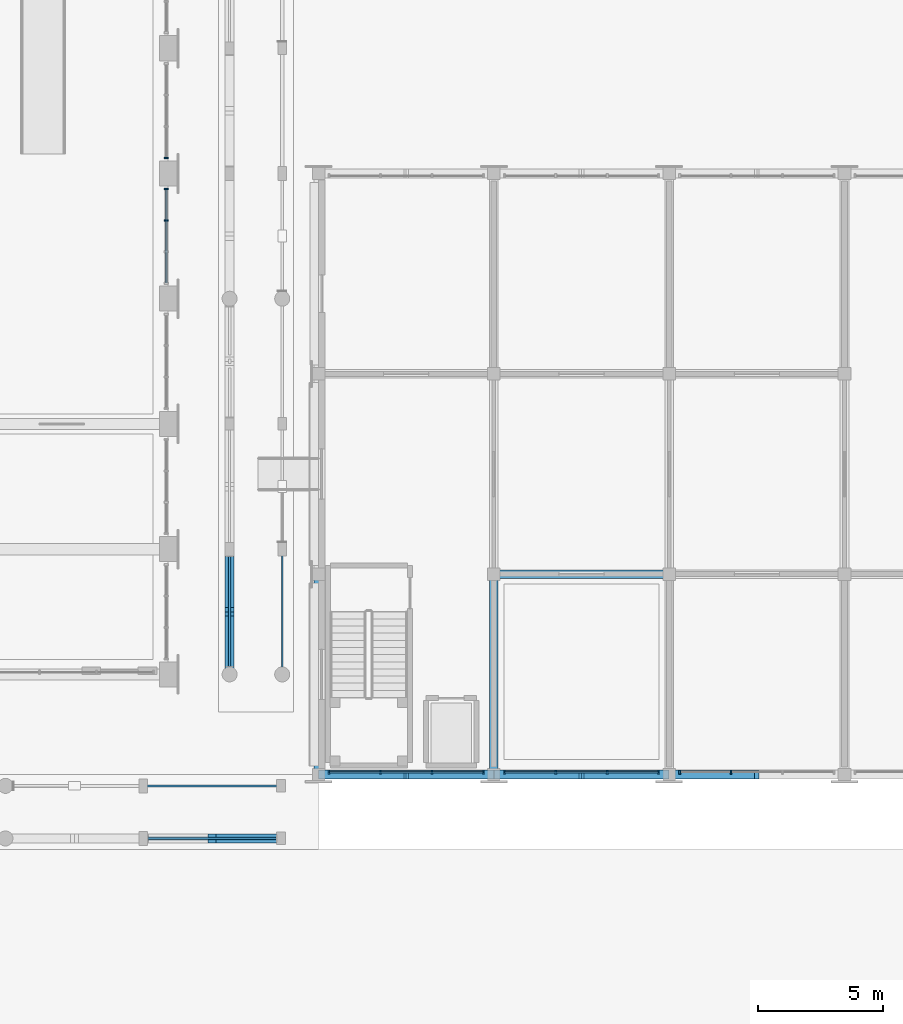
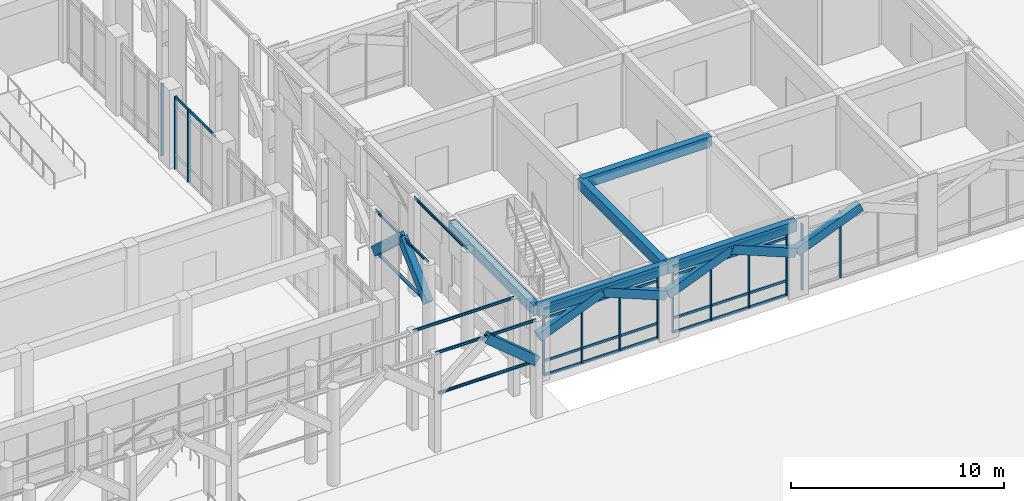
# One storey, part 29 of 135: 24 members, 17 beams, 5 elements without a shape of their own.
"""IFC4 building model written with IfcOpenShell, lengths in metres."""

from ifc_helpers import new_model, si_unit, direction, frame, origin, origin_2d, place, context, subcontext, project, spatial, rectangle, hollow_circle, i_section, extrude, material, material_profile, profile_set, type_object, element, aggregate, save


model = new_model("IFC4")

# Units and contexts
model_context = context("Model", 3, precision=1e-05, world=origin(), true_north=direction((0.0, 1.0)))
body_context = subcontext(model_context, "Body", "Model", "MODEL_VIEW")
ifc_project = project(units=[si_unit("LENGTHUNIT", "METRE"), si_unit("AREAUNIT", "SQUARE_METRE"), si_unit("VOLUMEUNIT", "CUBIC_METRE"), si_unit("PLANEANGLEUNIT", "RADIAN"), si_unit("MASSUNIT", "GRAM", prefix="KILO")], contexts=[model_context])

# Site, building, storey
site_placement = place(None, origin())
site = spatial("IfcSite", under=ifc_project, at=site_placement, CompositionType="ELEMENT")
building_placement = place(site_placement, origin())
building = spatial("IfcBuilding", under=site, at=building_placement, Name="Kiranvali Square Residences", CompositionType="ELEMENT")
storey_placement = place(building_placement, origin())
storey = spatial("IfcBuildingStorey", under=building, at=storey_placement, Name="L00", CompositionType="ELEMENT", Elevation=0.0)

# Beams
ifc_material_1 = material(Name="Concrete M40 (40 MPa)", Category="concrete")
ifc_material_profile_1 = material_profile(ifc_material_1, rectangle(XDim=0.35009765625, YDim=0.5, at=origin_2d()), Name="RC 350x500")
ifc_profile_set_1 = profile_set([ifc_material_profile_1], Name="Concrete M40 (40 MPa)")
beam_type_1 = type_object("IfcBeamType", Name="AR-M40-350x500", PredefinedType="USERDEFINED", material=ifc_profile_set_1)
for number, where, z_axis, x_axis, name in (
    (1, (102.0400390625, 40.0, 2.449951171875), (0.926976058065, 0.0, 0.375120497672), (0.0, 1.0, 0.0), "Classical pointed Ottoman arch rib ARCH-RT-S0-0.1"),
    (2, (105.5, 40.0, 3.85009765625), (0.926976058065, 0.0, -0.375120497672), (0.0, 1.0, 0.0), "Classical pointed Ottoman arch rib ARCH-RT-S0-0.2"),
    (3, (109.0400390625, 40.0, 2.449951171875), (0.926976058065, 0.0, 0.375120497672), (0.0, 1.0, 0.0), "Classical pointed Ottoman arch rib ARCH-RT-S0-1.1"),
    (4, (112.5, 40.0, 3.85009765625), (0.926976058065, 0.0, -0.375120497672), (0.0, 1.0, 0.0), "Classical pointed Ottoman arch rib ARCH-RT-S0-1.2"),
    (5, (116.0400390625, 40.0, 2.449951171875), (0.926976058065, 0.0, 0.375120497672), (0.0, 1.0, 0.0), "Classical pointed Ottoman arch rib ARCH-RT-S0-2.1"),
):
    element("IfcBeam", number, at=place(storey_placement, frame(where, z_axis=z_axis, x_axis=x_axis)), inside=storey, type_object=beam_type_1, Name=name, ObjectType="ARCH RIB", PredefinedType="USERDEFINED", context=body_context, shape_type="SweptSolid", body=[
        extrude(rectangle(XDim=0.35009765625, YDim=0.5, at=origin_2d()), origin(), (0.0, 0.0, 1.0), 3.732421875),
    ])
beam_placement = place(storey_placement, frame((97.75, 37.449951171875, 5.4599609375), z_axis=(0.767983039395, 0.0, -0.640470179791), x_axis=(0.0, 1.0, 0.0)))
element("IfcBeam", 6, at=beam_placement, inside=storey, type_object=beam_type_1, Name="Classical pointed Ottoman arch rib ARCH-ARC-GDN-S-11.2", ObjectType="ARCH RIB", PredefinedType="USERDEFINED", context=body_context, shape_type="SweptSolid", body=[
    extrude(rectangle(XDim=0.35009765625, YDim=0.5, at=origin_2d()), origin(), (0.0, 0.0, 1.0), 3.528564453125),
])
for number, where, z_axis, x_axis, name in (
    (7, (98.449951171875, 44.0400390625, 3.199951171875), (0.0, 0.736401324674, 0.676544964521), (-1.0, 0.0, 0.0), "Classical pointed Ottoman arch rib ARCH-ARC-GDN-E-01.1"),
    (8, (98.449951171875, 46.5, 5.4599609375), (0.0, 0.736401324674, -0.676544964521), (-1.0, 0.0, 0.0), "Classical pointed Ottoman arch rib ARCH-ARC-GDN-E-01.2"),
):
    element("IfcBeam", number, at=place(storey_placement, frame(where, z_axis=z_axis, x_axis=x_axis)), inside=storey, type_object=beam_type_1, Name=name, ObjectType="ARCH RIB", PredefinedType="USERDEFINED", context=body_context, shape_type="SweptSolid", body=[
        extrude(rectangle(XDim=0.35009765625, YDim=0.5, at=origin_2d()), origin(), (0.0, 0.0, 1.0), 3.340576171875),
    ])
ifc_material_profile_2 = material_profile(ifc_material_1, rectangle(XDim=0.35009765625, YDim=0.60009765625, at=origin_2d()), Name="RC 350x600")
ifc_profile_set_2 = profile_set([ifc_material_profile_2], Name="Concrete M40 (40 MPa)")
beam_type_2 = type_object("IfcBeamType", Name="BM-M40-350x600", PredefinedType="BEAM", material=ifc_profile_set_2)
for number, where, z_axis, x_axis, name in (
    (9, (102.0, 40.0, 3.97998046875), (1.0, 0.0, 0.0), (0.0, 1.0, 0.0), "L00 beam BM-RT-L00-X0-0"),
    (10, (109.0, 40.0, 3.97998046875), (1.0, 0.0, 0.0), (0.0, 1.0, 0.0), "L00 beam BM-RT-L00-X1-0"),
    (11, (109.0, 48.0, 3.97998046875), (1.0, 0.0, 0.0), (0.0, 1.0, 0.0), "L00 beam BM-RT-L00-X1-1"),
):
    element("IfcBeam", number, at=place(storey_placement, frame(where, z_axis=z_axis, x_axis=x_axis)), inside=storey, type_object=beam_type_2, Name=name, PredefinedType="BEAM", context=body_context, shape_type="SweptSolid", body=[
        extrude(rectangle(XDim=0.35009765625, YDim=0.60009765625, at=origin_2d()), origin(), (0.0, 0.0, 1.0), 7.0),
    ])
for number, where, z_axis, x_axis, name in (
    (12, (102.0, 40.0, 3.97998046875), (0.0, 1.0, 0.0), (-1.0, 0.0, 0.0), "L00 beam BM-RT-L00-Y0-0"),
    (13, (109.0, 40.0, 3.97998046875), (0.0, 1.0, 0.0), (-1.0, 0.0, 0.0), "L00 beam BM-RT-L00-Y1-0"),
):
    element("IfcBeam", number, at=place(storey_placement, frame(where, z_axis=z_axis, x_axis=x_axis)), inside=storey, type_object=beam_type_2, Name=name, PredefinedType="BEAM", context=body_context, shape_type="SweptSolid", body=[
        extrude(rectangle(XDim=0.35009765625, YDim=0.60009765625, at=origin_2d()), origin(), (0.0, 0.0, 1.0), 8.0),
    ])

# Curtain wall, members
ifc_material_2 = material(Name="Anodised bronze aluminium framing", Category="aluminium")
curtain_wall_type_1 = type_object("IfcCurtainWallType", Name="CW-CH-GLZ", PredefinedType="USERDEFINED", material=ifc_material_2)
curtain_wall_1_placement = place(storey_placement, origin())
curtain_wall_1 = element("IfcCurtainWall", 14, at=curtain_wall_1_placement, inside=storey, type_object=curtain_wall_type_1, Name="Community Hall L00 E glazed arcade bay 4", ObjectType="CURTAIN WALL", PredefinedType="USERDEFINED")
ifc_material_profile_3 = material_profile(ifc_material_2, rectangle(XDim=0.06494140625, YDim=0.159912109375, at=origin_2d()), Name="ALU 65x160")
ifc_profile_set_3 = profile_set([ifc_material_profile_3], Name="Anodised bronze aluminium framing")
member_type_1 = type_object("IfcMemberType", Name="CW-MUL-160", PredefinedType="MULLION", material=ifc_profile_set_3)
member_1_placement = place(storey_placement, frame((95.919921875, 62.126708984375, 0.02001953125), z_axis=(0.0, 0.0, 1.0), x_axis=(0.0, 1.0, 0.0)))
member_1 = element("IfcMember", 15, at=member_1_placement, type_object=member_type_1, Name="CW-CH-L00-E4 vertical mullion 3", PredefinedType="MULLION", context=body_context, shape_type="SweptSolid", body=[
    extrude(rectangle(XDim=0.06494140625, YDim=0.159912109375, at=origin_2d()), origin(), (0.0, 0.0, 1.0), 4.139892578125),
])
member_2_placement = place(storey_placement, frame((95.919921875, 63.3798828125, 0.02001953125), z_axis=(0.0, 0.0, 1.0), x_axis=(0.0, 1.0, 0.0)))
member_2 = element("IfcMember", 16, at=member_2_placement, type_object=member_type_1, Name="CW-CH-L00-E4 vertical mullion 4", PredefinedType="MULLION", context=body_context, shape_type="SweptSolid", body=[
    extrude(rectangle(XDim=0.06494140625, YDim=0.159912109375, at=origin_2d()), origin(), (0.0, 0.0, 1.0), 4.139892578125),
])

# Curtain wall, member
curtain_wall_2_placement = place(storey_placement, origin())
curtain_wall_2 = element("IfcCurtainWall", 17, at=curtain_wall_2_placement, inside=storey, type_object=curtain_wall_type_1, Name="Community Hall L00 E glazed arcade bay 5", ObjectType="CURTAIN WALL", PredefinedType="USERDEFINED")
member_3_placement = place(storey_placement, frame((95.919921875, 64.6201171875, 0.02001953125), z_axis=(0.0, 0.0, 1.0), x_axis=(0.0, 1.0, 0.0)))
member_3 = element("IfcMember", 18, at=member_3_placement, type_object=member_type_1, Name="CW-CH-L00-E5 vertical mullion 1", PredefinedType="MULLION", context=body_context, shape_type="SweptSolid", body=[
    extrude(rectangle(XDim=0.06494140625, YDim=0.159912109375, at=origin_2d()), origin(), (0.0, 0.0, 1.0), 4.139892578125),
])
aggregate(curtain_wall_2, [member_3])

# Curtain wall, members
curtain_wall_type_2 = type_object("IfcCurtainWallType", Name="CW-PAV-GLZ", PredefinedType="USERDEFINED", material=ifc_material_2)
curtain_wall_3_placement = place(storey_placement, origin())
curtain_wall_3 = element("IfcCurtainWall", 19, at=curtain_wall_3_placement, inside=storey, type_object=curtain_wall_type_2, Name="Southeast Square Retail Pavilion south arcade curtain wall 1", ObjectType="CURTAIN WALL", PredefinedType="USERDEFINED")
member_4_placement = place(storey_placement, frame((102.419921875, 40.10009765625, 0.02001953125), z_axis=(0.0, 0.0, 1.0), x_axis=(1.0, 0.0, 0.0)))
member_4 = element("IfcMember", 20, at=member_4_placement, type_object=member_type_1, Name="CW-RT-S0-0 vertical mullion 1", PredefinedType="MULLION", context=body_context, shape_type="SweptSolid", body=[
    extrude(rectangle(XDim=0.06494140625, YDim=0.159912109375, at=origin_2d()), origin(), (0.0, 0.0, 1.0), 3.81005859375),
])
member_5_placement = place(storey_placement, frame((104.473388671875, 40.10009765625, 0.02001953125), z_axis=(0.0, 0.0, 1.0), x_axis=(1.0, 0.0, 0.0)))
member_5 = element("IfcMember", 21, at=member_5_placement, type_object=member_type_1, Name="CW-RT-S0-0 vertical mullion 2", PredefinedType="MULLION", context=body_context, shape_type="SweptSolid", body=[
    extrude(rectangle(XDim=0.06494140625, YDim=0.159912109375, at=origin_2d()), origin(), (0.0, 0.0, 1.0), 3.81005859375),
])
member_6_placement = place(storey_placement, frame((106.526611328125, 40.10009765625, 0.02001953125), z_axis=(0.0, 0.0, 1.0), x_axis=(1.0, 0.0, 0.0)))
member_6 = element("IfcMember", 22, at=member_6_placement, type_object=member_type_1, Name="CW-RT-S0-0 vertical mullion 3", PredefinedType="MULLION", context=body_context, shape_type="SweptSolid", body=[
    extrude(rectangle(XDim=0.06494140625, YDim=0.159912109375, at=origin_2d()), origin(), (0.0, 0.0, 1.0), 3.81005859375),
])
member_7_placement = place(storey_placement, frame((108.580078125, 40.10009765625, 0.02001953125), z_axis=(0.0, 0.0, 1.0), x_axis=(1.0, 0.0, 0.0)))
member_7 = element("IfcMember", 23, at=member_7_placement, type_object=member_type_1, Name="CW-RT-S0-0 vertical mullion 4", PredefinedType="MULLION", context=body_context, shape_type="SweptSolid", body=[
    extrude(rectangle(XDim=0.06494140625, YDim=0.159912109375, at=origin_2d()), origin(), (0.0, 0.0, 1.0), 3.81005859375),
])

curtain_wall_4_placement = place(storey_placement, origin())
curtain_wall_4 = element("IfcCurtainWall", 24, at=curtain_wall_4_placement, inside=storey, type_object=curtain_wall_type_2, Name="Southeast Square Retail Pavilion south arcade curtain wall 2", ObjectType="CURTAIN WALL", PredefinedType="USERDEFINED")
member_8_placement = place(storey_placement, frame((109.419921875, 40.10009765625, 0.02001953125), z_axis=(0.0, 0.0, 1.0), x_axis=(1.0, 0.0, 0.0)))
member_8 = element("IfcMember", 25, at=member_8_placement, type_object=member_type_1, Name="CW-RT-S0-1 vertical mullion 1", PredefinedType="MULLION", context=body_context, shape_type="SweptSolid", body=[
    extrude(rectangle(XDim=0.06494140625, YDim=0.159912109375, at=origin_2d()), origin(), (0.0, 0.0, 1.0), 3.81005859375),
])
member_9_placement = place(storey_placement, frame((111.473388671875, 40.10009765625, 0.02001953125), z_axis=(0.0, 0.0, 1.0), x_axis=(1.0, 0.0, 0.0)))
member_9 = element("IfcMember", 26, at=member_9_placement, type_object=member_type_1, Name="CW-RT-S0-1 vertical mullion 2", PredefinedType="MULLION", context=body_context, shape_type="SweptSolid", body=[
    extrude(rectangle(XDim=0.06494140625, YDim=0.159912109375, at=origin_2d()), origin(), (0.0, 0.0, 1.0), 3.81005859375),
])
member_10_placement = place(storey_placement, frame((113.526611328125, 40.10009765625, 0.02001953125), z_axis=(0.0, 0.0, 1.0), x_axis=(1.0, 0.0, 0.0)))
member_10 = element("IfcMember", 27, at=member_10_placement, type_object=member_type_1, Name="CW-RT-S0-1 vertical mullion 3", PredefinedType="MULLION", context=body_context, shape_type="SweptSolid", body=[
    extrude(rectangle(XDim=0.06494140625, YDim=0.159912109375, at=origin_2d()), origin(), (0.0, 0.0, 1.0), 3.81005859375),
])
member_11_placement = place(storey_placement, frame((115.580078125, 40.10009765625, 0.02001953125), z_axis=(0.0, 0.0, 1.0), x_axis=(1.0, 0.0, 0.0)))
member_11 = element("IfcMember", 28, at=member_11_placement, type_object=member_type_1, Name="CW-RT-S0-1 vertical mullion 4", PredefinedType="MULLION", context=body_context, shape_type="SweptSolid", body=[
    extrude(rectangle(XDim=0.06494140625, YDim=0.159912109375, at=origin_2d()), origin(), (0.0, 0.0, 1.0), 3.81005859375),
])

curtain_wall_5_placement = place(storey_placement, origin())
curtain_wall_5 = element("IfcCurtainWall", 29, at=curtain_wall_5_placement, inside=storey, type_object=curtain_wall_type_2, Name="Southeast Square Retail Pavilion south arcade curtain wall 3", ObjectType="CURTAIN WALL", PredefinedType="USERDEFINED")
member_12_placement = place(storey_placement, frame((116.419921875, 40.10009765625, 0.02001953125), z_axis=(0.0, 0.0, 1.0), x_axis=(1.0, 0.0, 0.0)))
member_12 = element("IfcMember", 30, at=member_12_placement, type_object=member_type_1, Name="CW-RT-S0-2 vertical mullion 1", PredefinedType="MULLION", context=body_context, shape_type="SweptSolid", body=[
    extrude(rectangle(XDim=0.06494140625, YDim=0.159912109375, at=origin_2d()), origin(), (0.0, 0.0, 1.0), 3.81005859375),
])
member_13_placement = place(storey_placement, frame((118.473388671875, 40.10009765625, 0.02001953125), z_axis=(0.0, 0.0, 1.0), x_axis=(1.0, 0.0, 0.0)))
member_13 = element("IfcMember", 31, at=member_13_placement, type_object=member_type_1, Name="CW-RT-S0-2 vertical mullion 2", PredefinedType="MULLION", context=body_context, shape_type="SweptSolid", body=[
    extrude(rectangle(XDim=0.06494140625, YDim=0.159912109375, at=origin_2d()), origin(), (0.0, 0.0, 1.0), 3.81005859375),
])
aggregate(curtain_wall_5, [member_12, member_13])

# Member
ifc_material_profile_4 = material_profile(ifc_material_2, rectangle(XDim=0.06494140625, YDim=0.139892578125, at=origin_2d()), Name="ALU 65x140")
ifc_profile_set_4 = profile_set([ifc_material_profile_4], Name="Anodised bronze aluminium framing")
member_type_2 = type_object("IfcMemberType", Name="CW-TRN-140", PredefinedType="MULLION", material=ifc_profile_set_4)
member_14_placement = place(storey_placement, frame((95.919921875, 59.6298828125, 4.139892578125), z_axis=(0.0, 1.0, 0.0), x_axis=(-1.0, 0.0, 0.0)))
member_14 = element("IfcMember", 32, at=member_14_placement, type_object=member_type_2, Name="CW-CH-L00-E4 horizontal transom 4", PredefinedType="MULLION", context=body_context, shape_type="SweptSolid", body=[
    extrude(rectangle(XDim=0.06494140625, YDim=0.139892578125, at=origin_2d()), origin(), (0.0, 0.0, 1.0), 3.740234375),
])

aggregate(curtain_wall_1, [member_1, member_2, member_14])

member_15_placement = place(storey_placement, frame((102.429931640625, 40.10009765625, 0.0400390625), z_axis=(1.0, 0.0, 0.0), x_axis=(0.0, 1.0, 0.0)))
member_15 = element("IfcMember", 33, at=member_15_placement, type_object=member_type_2, Name="CW-RT-S0-0 horizontal transom 1", PredefinedType="MULLION", context=body_context, shape_type="SweptSolid", body=[
    extrude(rectangle(XDim=0.06494140625, YDim=0.139892578125, at=origin_2d()), origin(), (0.0, 0.0, 1.0), 6.14013671875),
])

member_16_placement = place(storey_placement, frame((102.429931640625, 40.10009765625, 0.85009765625), z_axis=(1.0, 0.0, 0.0), x_axis=(0.0, 1.0, 0.0)))
member_16 = element("IfcMember", 34, at=member_16_placement, type_object=member_type_2, Name="CW-RT-S0-0 horizontal transom 2", PredefinedType="MULLION", context=body_context, shape_type="SweptSolid", body=[
    extrude(rectangle(XDim=0.06494140625, YDim=0.139892578125, at=origin_2d()), origin(), (0.0, 0.0, 1.0), 6.14013671875),
])

member_17_placement = place(storey_placement, frame((102.429931640625, 40.10009765625, 3.300048828125), z_axis=(1.0, 0.0, 0.0), x_axis=(0.0, 1.0, 0.0)))
member_17 = element("IfcMember", 35, at=member_17_placement, type_object=member_type_2, Name="CW-RT-S0-0 horizontal transom 3", PredefinedType="MULLION", context=body_context, shape_type="SweptSolid", body=[
    extrude(rectangle(XDim=0.06494140625, YDim=0.139892578125, at=origin_2d()), origin(), (0.0, 0.0, 1.0), 6.14013671875),
])

member_18_placement = place(storey_placement, frame((102.429931640625, 40.10009765625, 3.81005859375), z_axis=(1.0, 0.0, 0.0), x_axis=(0.0, 1.0, 0.0)))
member_18 = element("IfcMember", 36, at=member_18_placement, type_object=member_type_2, Name="CW-RT-S0-0 horizontal transom 4", PredefinedType="MULLION", context=body_context, shape_type="SweptSolid", body=[
    extrude(rectangle(XDim=0.06494140625, YDim=0.139892578125, at=origin_2d()), origin(), (0.0, 0.0, 1.0), 6.14013671875),
])

aggregate(curtain_wall_3, [member_4, member_5, member_6, member_7, member_15, member_16, member_17, member_18])

member_19_placement = place(storey_placement, frame((109.429931640625, 40.10009765625, 0.0400390625), z_axis=(1.0, 0.0, 0.0), x_axis=(0.0, 1.0, 0.0)))
member_19 = element("IfcMember", 37, at=member_19_placement, type_object=member_type_2, Name="CW-RT-S0-1 horizontal transom 1", PredefinedType="MULLION", context=body_context, shape_type="SweptSolid", body=[
    extrude(rectangle(XDim=0.06494140625, YDim=0.139892578125, at=origin_2d()), origin(), (0.0, 0.0, 1.0), 6.14013671875),
])

member_20_placement = place(storey_placement, frame((109.429931640625, 40.10009765625, 0.85009765625), z_axis=(1.0, 0.0, 0.0), x_axis=(0.0, 1.0, 0.0)))
member_20 = element("IfcMember", 38, at=member_20_placement, type_object=member_type_2, Name="CW-RT-S0-1 horizontal transom 2", PredefinedType="MULLION", context=body_context, shape_type="SweptSolid", body=[
    extrude(rectangle(XDim=0.06494140625, YDim=0.139892578125, at=origin_2d()), origin(), (0.0, 0.0, 1.0), 6.14013671875),
])

member_21_placement = place(storey_placement, frame((109.429931640625, 40.10009765625, 3.300048828125), z_axis=(1.0, 0.0, 0.0), x_axis=(0.0, 1.0, 0.0)))
member_21 = element("IfcMember", 39, at=member_21_placement, type_object=member_type_2, Name="CW-RT-S0-1 horizontal transom 3", PredefinedType="MULLION", context=body_context, shape_type="SweptSolid", body=[
    extrude(rectangle(XDim=0.06494140625, YDim=0.139892578125, at=origin_2d()), origin(), (0.0, 0.0, 1.0), 6.14013671875),
])

member_22_placement = place(storey_placement, frame((109.429931640625, 40.10009765625, 3.81005859375), z_axis=(1.0, 0.0, 0.0), x_axis=(0.0, 1.0, 0.0)))
member_22 = element("IfcMember", 40, at=member_22_placement, type_object=member_type_2, Name="CW-RT-S0-1 horizontal transom 4", PredefinedType="MULLION", context=body_context, shape_type="SweptSolid", body=[
    extrude(rectangle(XDim=0.06494140625, YDim=0.139892578125, at=origin_2d()), origin(), (0.0, 0.0, 1.0), 6.14013671875),
])

aggregate(curtain_wall_4, [member_8, member_9, member_10, member_11, member_19, member_20, member_21, member_22])

# Members
ifc_material_3 = material(Name="Structural steel E350", Category="steel")
ifc_material_profile_5 = material_profile(ifc_material_3, hollow_circle(Radius=0.08251953125, WallThickness=0.00537109375, at=origin_2d()), Name="CHS 165.1x5.4")
ifc_profile_set_5 = profile_set([ifc_material_profile_5], Name="Structural steel E350")
member_type_3 = type_object("IfcMemberType", Name="MEM-CHS165", PredefinedType="USERDEFINED", material=ifc_profile_set_5)
member_23_placement = place(storey_placement, frame((95.198974609375, 37.449951171875, 3.14990234375), z_axis=(1.0, 0.0, 0.0), x_axis=(0.0, 1.0, 0.0)))
element("IfcMember", 41, at=member_23_placement, inside=storey, type_object=member_type_3, Name="Ottoman arch springing tie rod ARC-GDN-S-11", ObjectType="TIE ROD", PredefinedType="USERDEFINED", context=body_context, shape_type="SweptSolid", body=[
    extrude(hollow_circle(Radius=0.08251953125, WallThickness=0.00537109375, at=origin_2d()), origin(), (0.0, 0.0, 1.0), 5.10205078125),
])
member_24_placement = place(storey_placement, frame((98.449951171875, 44.323974609375, 3.14990234375), z_axis=(0.0, 1.0, 0.0), x_axis=(-1.0, 0.0, 0.0)))
element("IfcMember", 42, at=member_24_placement, inside=storey, type_object=member_type_3, Name="Ottoman arch springing tie rod ARC-GDN-E-1", ObjectType="TIE ROD", PredefinedType="USERDEFINED", context=body_context, shape_type="SweptSolid", body=[
    extrude(hollow_circle(Radius=0.08251953125, WallThickness=0.00537109375, at=origin_2d()), origin(), (0.0, 0.0, 1.0), 4.376953125),
])

# Beams
ifc_material_profile_6 = material_profile(ifc_material_3, i_section(OverallWidth=0.074951171875, OverallDepth=0.14990234375, WebThickness=0.0048828125, FlangeThickness=0.008056640625, at=origin_2d()), Name="ISMB 150")
ifc_profile_set_6 = profile_set([ifc_material_profile_6], Name="Structural steel E350")
beam_type_3 = type_object("IfcBeamType", Name="SBM-ISMB150", PredefinedType="JOIST", material=ifc_profile_set_6)
for number, where, z_axis, x_axis, name in (
    (43, (95.0, 37.449951171875, 5.485107421875), (1.0, 0.0, 0.0), (0.0, 1.0, 0.0), "Colonnade entablature steel beam ARC-GDN-S-11"),
    (44, (95.0, 39.550048828125, 5.485107421875), (1.0, 0.0, 0.0), (0.0, 1.0, 0.0), "Colonnade inner entablature steel beam ARC-GDN-S-11B"),
):
    element("IfcBeam", number, at=place(storey_placement, frame(where, z_axis=z_axis, x_axis=x_axis)), inside=storey, type_object=beam_type_3, Name=name, PredefinedType="JOIST", context=body_context, shape_type="SweptSolid", body=[
        extrude(i_section(OverallWidth=0.074951171875, OverallDepth=0.14990234375, WebThickness=0.0048828125, FlangeThickness=0.008056640625, at=origin_2d()), origin(), (0.0, 0.0, 1.0), 5.5),
    ])
for number, where, z_axis, x_axis, name in (
    (45, (98.449951171875, 44.0, 5.485107421875), (0.0, 1.0, 0.0), (-1.0, 0.0, 0.0), "Colonnade entablature steel beam ARC-GDN-E-1"),
    (46, (100.550048828125, 44.0, 5.485107421875), (0.0, 1.0, 0.0), (-1.0, 0.0, 0.0), "Colonnade inner entablature steel beam ARC-GDN-E-1B"),
):
    element("IfcBeam", number, at=place(storey_placement, frame(where, z_axis=z_axis, x_axis=x_axis)), inside=storey, type_object=beam_type_3, Name=name, PredefinedType="JOIST", context=body_context, shape_type="SweptSolid", body=[
        extrude(i_section(OverallWidth=0.074951171875, OverallDepth=0.14990234375, WebThickness=0.0048828125, FlangeThickness=0.008056640625, at=origin_2d()), origin(), (0.0, 0.0, 1.0), 5.0),
    ])

save(model, "model.ifc")
